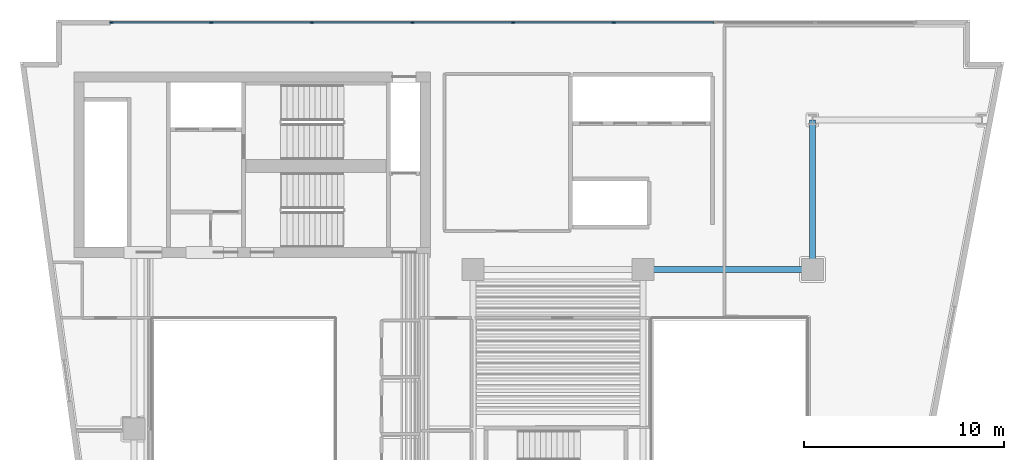
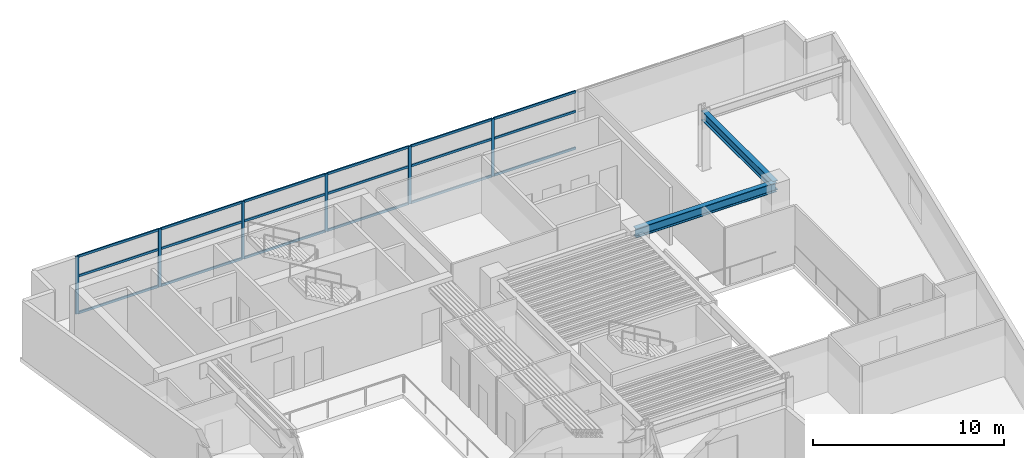
# One storey, part 3 of 12: 24 members, 2 beams, 1 element without a shape of its own.
"""IFC4 building model written with IfcOpenShell, lengths in metres."""

from ifc_helpers import new_model, si_unit, direction, frame, origin, origin_2d, place, context, subcontext, project, spatial, rectangle, i_section, extrude, material, layer, layer_set, material_profile, profile_set, type_object, element, aggregate, save


model = new_model("IFC4")

# Units and contexts
model_context = context("Model", 3, precision=1e-05, world=origin(), true_north=direction((0.0, 1.0)))
body_context = subcontext(model_context, "Body", "Model", "MODEL_VIEW")
ifc_project = project(units=[si_unit("LENGTHUNIT", "METRE"), si_unit("AREAUNIT", "SQUARE_METRE"), si_unit("VOLUMEUNIT", "CUBIC_METRE"), si_unit("PLANEANGLEUNIT", "RADIAN"), si_unit("MASSUNIT", "GRAM", prefix="KILO")], contexts=[model_context])

# Site, building, storey
site_placement = place(None, origin())
site = spatial("IfcSite", under=ifc_project, at=site_placement, CompositionType="ELEMENT")
building_placement = place(site_placement, origin())
building = spatial("IfcBuilding", under=site, at=building_placement, Name="Caeloran Harvest Quay", CompositionType="ELEMENT")
storey_placement = place(building_placement, frame((0.0, 0.0, 119.300048828125)))
storey = spatial("IfcBuildingStorey", under=building, at=storey_placement, Name="L27", CompositionType="ELEMENT", Elevation=119.300048828125)

# Beams
ifc_material_1 = material(Name="Steel S355J2", Category="steel")
ifc_material_profile_1 = material_profile(ifc_material_1, i_section(OverallWidth=0.300048828125, OverallDepth=0.60009765625, WebThickness=0.015380859375, FlangeThickness=0.030029296875, FilletRadius=0.027099609375, at=origin_2d()), Name="HE 600 B")
ifc_profile_set_1 = profile_set([ifc_material_profile_1], Name="Steel S355J2")
beam_type = type_object("IfcBeamType", Name="BM-PG-3-HE_600_B", PredefinedType="BEAM", material=ifc_profile_set_1)
beam_1_placement = place(storey_placement, frame((34.0, 31.0, 3.389892578125), z_axis=(1.0, 0.0, 0.0), x_axis=(0.0, 1.0, 0.0)))
element("IfcBeam", 1, at=beam_1_placement, inside=storey, type_object=beam_type, Name="L27 Primary East-West Girder Y=31.0", PredefinedType="BEAM", context=body_context, shape_type="SweptSolid", body=[
    extrude(i_section(OverallWidth=0.300048828125, OverallDepth=0.60009765625, WebThickness=0.015380859375, FlangeThickness=0.030029296875, FilletRadius=0.027099609375, at=origin_2d()), origin(), (0.0, 0.0, 1.0), 8.5),
])
beam_2_placement = place(storey_placement, frame((42.5, 31.0, 3.389892578125), z_axis=(0.0, 1.0, 0.0), x_axis=(-1.0, 0.0, 0.0)))
element("IfcBeam", 2, at=beam_2_placement, inside=storey, type_object=beam_type, Name="L27 Primary North-South Girder X=42.5", PredefinedType="BEAM", context=body_context, shape_type="SweptSolid", body=[
    extrude(i_section(OverallWidth=0.300048828125, OverallDepth=0.60009765625, WebThickness=0.015380859375, FlangeThickness=0.030029296875, FilletRadius=0.027099609375, at=origin_2d()), origin(), (0.0, 0.0, 1.0), 7.5),
])

# Curtain wall, members
ifc_material_2 = material(Name="Aluminium 6063-T6 and Low-E Glazing", Category="aluminium")
ifc_layer = layer(ifc_material_2, 0.18994140625, Name="Aluminium 6063-T6 and Low-E Glazing")
ifc_layer_set = layer_set([ifc_layer], Name="Aluminium 6063-T6 and Low-E Glazing")
curtain_wall_type = type_object("IfcCurtainWallType", Name="CW-SYS-CW-3", PredefinedType="USERDEFINED", material=ifc_layer_set)
curtain_wall_placement = place(storey_placement, origin())
curtain_wall = element("IfcCurtainWall", 3, at=curtain_wall_placement, inside=storey, type_object=curtain_wall_type, Name="L27 Unitised Curtain Wall CW-3 Run 6", ObjectType="CURTAIN_WALL", PredefinedType="USERDEFINED")
ifc_material_3 = material(Name="Aluminium 6063-T6", Category="aluminium")
ifc_material_profile_2 = material_profile(ifc_material_3, rectangle(XDim=0.080078125, YDim=0.179931640625, at=origin_2d()), Name="CW-MULLION-180")
ifc_profile_set_2 = profile_set([ifc_material_profile_2], Name="Aluminium 6063-T6")
member_type_1 = type_object("IfcMemberType", Name="CW-MULLION-180", PredefinedType="MULLION", material=ifc_profile_set_2)
member_1_placement = place(storey_placement, frame((7.3701171875, 43.3701171875, 0.0), z_axis=(0.0, 0.0, 1.0), x_axis=(0.0, 1.0, 0.0)))
member_1 = element("IfcMember", 4, at=member_1_placement, type_object=member_type_1, Name="CW-3 mullion 1", PredefinedType="MULLION", context=body_context, shape_type="SweptSolid", body=[
    extrude(rectangle(XDim=0.080078125, YDim=0.179931640625, at=origin_2d()), origin(), (0.0, 0.0, 1.0), 3.68994140625),
])
member_2_placement = place(storey_placement, frame((12.37255859375, 43.3701171875, 0.0), z_axis=(0.0, 0.0, 1.0), x_axis=(0.0, 1.0, 0.0)))
member_2 = element("IfcMember", 5, at=member_2_placement, type_object=member_type_1, Name="CW-3 mullion 2", PredefinedType="MULLION", context=body_context, shape_type="SweptSolid", body=[
    extrude(rectangle(XDim=0.080078125, YDim=0.179931640625, at=origin_2d()), origin(), (0.0, 0.0, 1.0), 3.68994140625),
])
member_3_placement = place(storey_placement, frame((17.4150390625, 43.3701171875, 0.0), z_axis=(0.0, 0.0, 1.0), x_axis=(0.0, 1.0, 0.0)))
member_3 = element("IfcMember", 6, at=member_3_placement, type_object=member_type_1, Name="CW-3 mullion 3", PredefinedType="MULLION", context=body_context, shape_type="SweptSolid", body=[
    extrude(rectangle(XDim=0.080078125, YDim=0.179931640625, at=origin_2d()), origin(), (0.0, 0.0, 1.0), 3.68994140625),
])
member_4_placement = place(storey_placement, frame((22.45751953125, 43.3701171875, 0.0), z_axis=(0.0, 0.0, 1.0), x_axis=(0.0, 1.0, 0.0)))
member_4 = element("IfcMember", 7, at=member_4_placement, type_object=member_type_1, Name="CW-3 mullion 4", PredefinedType="MULLION", context=body_context, shape_type="SweptSolid", body=[
    extrude(rectangle(XDim=0.080078125, YDim=0.179931640625, at=origin_2d()), origin(), (0.0, 0.0, 1.0), 3.68994140625),
])
member_5_placement = place(storey_placement, frame((27.5, 43.3701171875, 0.0), z_axis=(0.0, 0.0, 1.0), x_axis=(0.0, 1.0, 0.0)))
member_5 = element("IfcMember", 8, at=member_5_placement, type_object=member_type_1, Name="CW-3 mullion 5", PredefinedType="MULLION", context=body_context, shape_type="SweptSolid", body=[
    extrude(rectangle(XDim=0.080078125, YDim=0.179931640625, at=origin_2d()), origin(), (0.0, 0.0, 1.0), 3.68994140625),
])
member_6_placement = place(storey_placement, frame((32.54248046875, 43.3701171875, 0.0), z_axis=(0.0, 0.0, 1.0), x_axis=(0.0, 1.0, 0.0)))
member_6 = element("IfcMember", 9, at=member_6_placement, type_object=member_type_1, Name="CW-3 mullion 6", PredefinedType="MULLION", context=body_context, shape_type="SweptSolid", body=[
    extrude(rectangle(XDim=0.080078125, YDim=0.179931640625, at=origin_2d()), origin(), (0.0, 0.0, 1.0), 3.68994140625),
])
ifc_material_profile_3 = material_profile(ifc_material_3, rectangle(XDim=0.080078125, YDim=0.14990234375, at=origin_2d()), Name="CW-TRANSOM-150")
ifc_profile_set_3 = profile_set([ifc_material_profile_3], Name="Aluminium 6063-T6")
member_type_2 = type_object("IfcMemberType", Name="CW-TRANSOM-150", PredefinedType="USERDEFINED", material=ifc_profile_set_3)
member_7_placement = place(storey_placement, frame((7.409912109375, 43.3701171875, 0.0400390625), z_axis=(1.0, 0.0, 0.0), x_axis=(0.0, 1.0, 0.0)))
member_7 = element("IfcMember", 10, at=member_7_placement, type_object=member_type_2, Name="CW-3 transom 1.1", ObjectType="TRANSOM", PredefinedType="USERDEFINED", context=body_context, shape_type="SweptSolid", body=[
    extrude(rectangle(XDim=0.080078125, YDim=0.14990234375, at=origin_2d()), origin(), (0.0, 0.0, 1.0), 4.922607421875),
])
member_8_placement = place(storey_placement, frame((7.409912109375, 43.3701171875, 2.39990234375), z_axis=(1.0, 0.0, 0.0), x_axis=(0.0, 1.0, 0.0)))
member_8 = element("IfcMember", 11, at=member_8_placement, type_object=member_type_2, Name="CW-3 transom 1.2", ObjectType="TRANSOM", PredefinedType="USERDEFINED", context=body_context, shape_type="SweptSolid", body=[
    extrude(rectangle(XDim=0.080078125, YDim=0.14990234375, at=origin_2d()), origin(), (0.0, 0.0, 1.0), 4.922607421875),
])
member_9_placement = place(storey_placement, frame((7.409912109375, 43.3701171875, 3.64990234375), z_axis=(1.0, 0.0, 0.0), x_axis=(0.0, 1.0, 0.0)))
member_9 = element("IfcMember", 12, at=member_9_placement, type_object=member_type_2, Name="CW-3 transom 1.3", ObjectType="TRANSOM", PredefinedType="USERDEFINED", context=body_context, shape_type="SweptSolid", body=[
    extrude(rectangle(XDim=0.080078125, YDim=0.14990234375, at=origin_2d()), origin(), (0.0, 0.0, 1.0), 4.922607421875),
])
member_10_placement = place(storey_placement, frame((12.41259765625, 43.3701171875, 0.0400390625), z_axis=(1.0, 0.0, 0.0), x_axis=(0.0, 1.0, 0.0)))
member_10 = element("IfcMember", 13, at=member_10_placement, type_object=member_type_2, Name="CW-3 transom 2.1", ObjectType="TRANSOM", PredefinedType="USERDEFINED", context=body_context, shape_type="SweptSolid", body=[
    extrude(rectangle(XDim=0.080078125, YDim=0.14990234375, at=origin_2d()), origin(), (0.0, 0.0, 1.0), 4.96240234375),
])
member_11_placement = place(storey_placement, frame((12.41259765625, 43.3701171875, 2.39990234375), z_axis=(1.0, 0.0, 0.0), x_axis=(0.0, 1.0, 0.0)))
member_11 = element("IfcMember", 14, at=member_11_placement, type_object=member_type_2, Name="CW-3 transom 2.2", ObjectType="TRANSOM", PredefinedType="USERDEFINED", context=body_context, shape_type="SweptSolid", body=[
    extrude(rectangle(XDim=0.080078125, YDim=0.14990234375, at=origin_2d()), origin(), (0.0, 0.0, 1.0), 4.96240234375),
])
member_12_placement = place(storey_placement, frame((12.41259765625, 43.3701171875, 3.64990234375), z_axis=(1.0, 0.0, 0.0), x_axis=(0.0, 1.0, 0.0)))
member_12 = element("IfcMember", 15, at=member_12_placement, type_object=member_type_2, Name="CW-3 transom 2.3", ObjectType="TRANSOM", PredefinedType="USERDEFINED", context=body_context, shape_type="SweptSolid", body=[
    extrude(rectangle(XDim=0.080078125, YDim=0.14990234375, at=origin_2d()), origin(), (0.0, 0.0, 1.0), 4.96240234375),
])
member_13_placement = place(storey_placement, frame((17.455078125, 43.3701171875, 0.0400390625), z_axis=(1.0, 0.0, 0.0), x_axis=(0.0, 1.0, 0.0)))
member_13 = element("IfcMember", 16, at=member_13_placement, type_object=member_type_2, Name="CW-3 transom 3.1", ObjectType="TRANSOM", PredefinedType="USERDEFINED", context=body_context, shape_type="SweptSolid", body=[
    extrude(rectangle(XDim=0.080078125, YDim=0.14990234375, at=origin_2d()), origin(), (0.0, 0.0, 1.0), 4.96240234375),
])
member_14_placement = place(storey_placement, frame((17.455078125, 43.3701171875, 2.39990234375), z_axis=(1.0, 0.0, 0.0), x_axis=(0.0, 1.0, 0.0)))
member_14 = element("IfcMember", 17, at=member_14_placement, type_object=member_type_2, Name="CW-3 transom 3.2", ObjectType="TRANSOM", PredefinedType="USERDEFINED", context=body_context, shape_type="SweptSolid", body=[
    extrude(rectangle(XDim=0.080078125, YDim=0.14990234375, at=origin_2d()), origin(), (0.0, 0.0, 1.0), 4.96240234375),
])
member_15_placement = place(storey_placement, frame((17.455078125, 43.3701171875, 3.64990234375), z_axis=(1.0, 0.0, 0.0), x_axis=(0.0, 1.0, 0.0)))
member_15 = element("IfcMember", 18, at=member_15_placement, type_object=member_type_2, Name="CW-3 transom 3.3", ObjectType="TRANSOM", PredefinedType="USERDEFINED", context=body_context, shape_type="SweptSolid", body=[
    extrude(rectangle(XDim=0.080078125, YDim=0.14990234375, at=origin_2d()), origin(), (0.0, 0.0, 1.0), 4.96240234375),
])
member_16_placement = place(storey_placement, frame((22.49755859375, 43.3701171875, 0.0400390625), z_axis=(1.0, 0.0, 0.0), x_axis=(0.0, 1.0, 0.0)))
member_16 = element("IfcMember", 19, at=member_16_placement, type_object=member_type_2, Name="CW-3 transom 4.1", ObjectType="TRANSOM", PredefinedType="USERDEFINED", context=body_context, shape_type="SweptSolid", body=[
    extrude(rectangle(XDim=0.080078125, YDim=0.14990234375, at=origin_2d()), origin(), (0.0, 0.0, 1.0), 4.96240234375),
])
member_17_placement = place(storey_placement, frame((22.49755859375, 43.3701171875, 2.39990234375), z_axis=(1.0, 0.0, 0.0), x_axis=(0.0, 1.0, 0.0)))
member_17 = element("IfcMember", 20, at=member_17_placement, type_object=member_type_2, Name="CW-3 transom 4.2", ObjectType="TRANSOM", PredefinedType="USERDEFINED", context=body_context, shape_type="SweptSolid", body=[
    extrude(rectangle(XDim=0.080078125, YDim=0.14990234375, at=origin_2d()), origin(), (0.0, 0.0, 1.0), 4.96240234375),
])
member_18_placement = place(storey_placement, frame((22.49755859375, 43.3701171875, 3.64990234375), z_axis=(1.0, 0.0, 0.0), x_axis=(0.0, 1.0, 0.0)))
member_18 = element("IfcMember", 21, at=member_18_placement, type_object=member_type_2, Name="CW-3 transom 4.3", ObjectType="TRANSOM", PredefinedType="USERDEFINED", context=body_context, shape_type="SweptSolid", body=[
    extrude(rectangle(XDim=0.080078125, YDim=0.14990234375, at=origin_2d()), origin(), (0.0, 0.0, 1.0), 4.96240234375),
])
member_19_placement = place(storey_placement, frame((27.5400390625, 43.3701171875, 0.0400390625), z_axis=(1.0, 0.0, 0.0), x_axis=(0.0, 1.0, 0.0)))
member_19 = element("IfcMember", 22, at=member_19_placement, type_object=member_type_2, Name="CW-3 transom 5.1", ObjectType="TRANSOM", PredefinedType="USERDEFINED", context=body_context, shape_type="SweptSolid", body=[
    extrude(rectangle(XDim=0.080078125, YDim=0.14990234375, at=origin_2d()), origin(), (0.0, 0.0, 1.0), 4.96240234375),
])
member_20_placement = place(storey_placement, frame((27.5400390625, 43.3701171875, 2.39990234375), z_axis=(1.0, 0.0, 0.0), x_axis=(0.0, 1.0, 0.0)))
member_20 = element("IfcMember", 23, at=member_20_placement, type_object=member_type_2, Name="CW-3 transom 5.2", ObjectType="TRANSOM", PredefinedType="USERDEFINED", context=body_context, shape_type="SweptSolid", body=[
    extrude(rectangle(XDim=0.080078125, YDim=0.14990234375, at=origin_2d()), origin(), (0.0, 0.0, 1.0), 4.96240234375),
])
member_21_placement = place(storey_placement, frame((27.5400390625, 43.3701171875, 3.64990234375), z_axis=(1.0, 0.0, 0.0), x_axis=(0.0, 1.0, 0.0)))
member_21 = element("IfcMember", 24, at=member_21_placement, type_object=member_type_2, Name="CW-3 transom 5.3", ObjectType="TRANSOM", PredefinedType="USERDEFINED", context=body_context, shape_type="SweptSolid", body=[
    extrude(rectangle(XDim=0.080078125, YDim=0.14990234375, at=origin_2d()), origin(), (0.0, 0.0, 1.0), 4.96240234375),
])
member_22_placement = place(storey_placement, frame((32.58251953125, 43.3701171875, 0.0400390625), z_axis=(1.0, 0.0, 0.0), x_axis=(0.0, 1.0, 0.0)))
member_22 = element("IfcMember", 25, at=member_22_placement, type_object=member_type_2, Name="CW-3 transom 6.1", ObjectType="TRANSOM", PredefinedType="USERDEFINED", context=body_context, shape_type="SweptSolid", body=[
    extrude(rectangle(XDim=0.080078125, YDim=0.14990234375, at=origin_2d()), origin(), (0.0, 0.0, 1.0), 4.96240234375),
])
member_23_placement = place(storey_placement, frame((32.58251953125, 43.3701171875, 2.39990234375), z_axis=(1.0, 0.0, 0.0), x_axis=(0.0, 1.0, 0.0)))
member_23 = element("IfcMember", 26, at=member_23_placement, type_object=member_type_2, Name="CW-3 transom 6.2", ObjectType="TRANSOM", PredefinedType="USERDEFINED", context=body_context, shape_type="SweptSolid", body=[
    extrude(rectangle(XDim=0.080078125, YDim=0.14990234375, at=origin_2d()), origin(), (0.0, 0.0, 1.0), 4.96240234375),
])
member_24_placement = place(storey_placement, frame((32.58251953125, 43.3701171875, 3.64990234375), z_axis=(1.0, 0.0, 0.0), x_axis=(0.0, 1.0, 0.0)))
member_24 = element("IfcMember", 27, at=member_24_placement, type_object=member_type_2, Name="CW-3 transom 6.3", ObjectType="TRANSOM", PredefinedType="USERDEFINED", context=body_context, shape_type="SweptSolid", body=[
    extrude(rectangle(XDim=0.080078125, YDim=0.14990234375, at=origin_2d()), origin(), (0.0, 0.0, 1.0), 4.96240234375),
])
aggregate(curtain_wall, [member_1, member_2, member_3, member_4, member_5, member_6, member_7, member_8, member_9, member_10, member_11, member_12, member_13, member_14, member_15, member_16, member_17, member_18, member_19, member_20, member_21, member_22, member_23, member_24])

save(model, "model.ifc")
